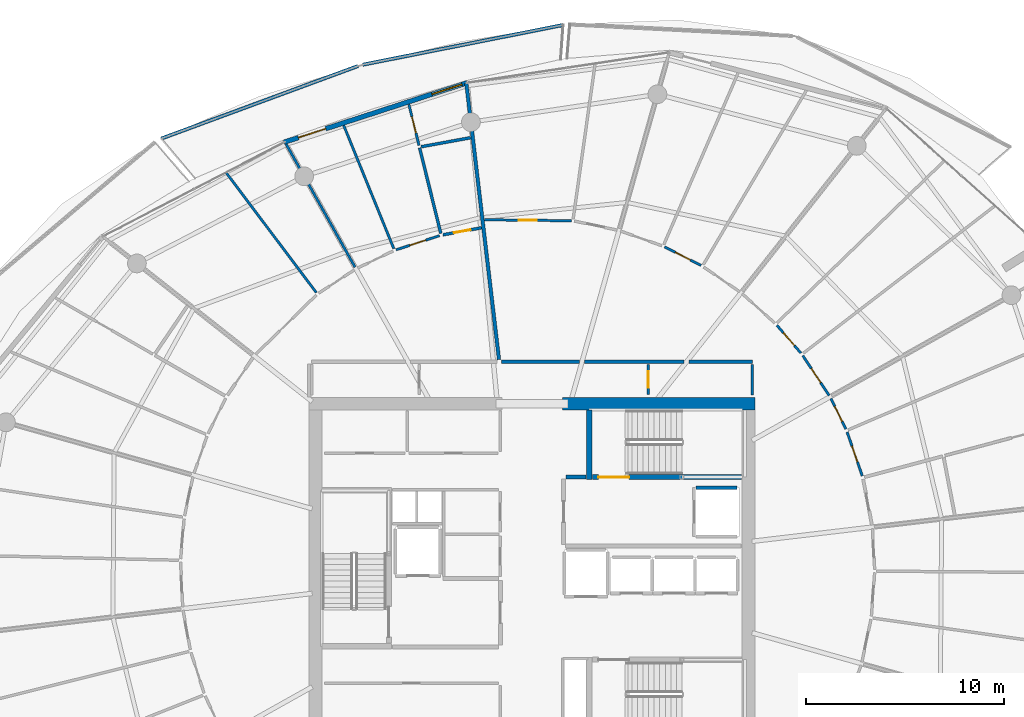
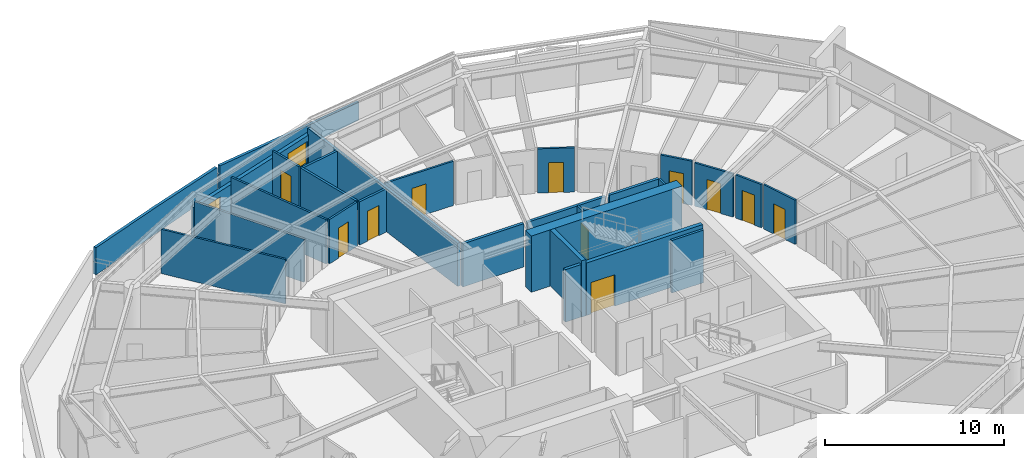
# One storey, part 23 of 31: 28 walls, 12 doors, 1 window, 13 openings.
"""IFC4 building model written with IfcOpenShell, lengths in metres."""

from ifc_helpers import new_model, si_unit, direction, frame, frame_2d, origin, place, context, subcontext, project, spatial, polyline, rectangle, outline, extrude, material, layer, layer_set, type_object, element, fill, save


model = new_model("IFC4")

# Units and contexts
model_context = context("Model", 3, precision=1e-05, world=origin(), true_north=direction((0.0, 1.0)))
body_context = subcontext(model_context, "Body", "Model", "MODEL_VIEW")
ifc_project = project(units=[si_unit("LENGTHUNIT", "METRE"), si_unit("AREAUNIT", "SQUARE_METRE"), si_unit("VOLUMEUNIT", "CUBIC_METRE"), si_unit("PLANEANGLEUNIT", "RADIAN"), si_unit("MASSUNIT", "GRAM", prefix="KILO")], contexts=[model_context])

# Site, building, storey
site_placement = place(None, origin())
site = spatial("IfcSite", under=ifc_project, at=site_placement, CompositionType="ELEMENT")
building_placement = place(site_placement, origin())
building = spatial("IfcBuilding", under=site, at=building_placement, Name="Kazma Halo Residences", CompositionType="ELEMENT")
storey_placement = place(building_placement, frame((0.0, 0.0, 271.35009765625)))
storey = spatial("IfcBuildingStorey", under=building, at=storey_placement, Name="L68", CompositionType="ELEMENT", Elevation=271.35009765625)

# Walls
ifc_material_1 = material(Name="White Concrete C50/60 Balustrade", Category="concrete")
ifc_layer_1 = layer(ifc_material_1, 0.179931640625)
ifc_layer_set_1 = layer_set([ifc_layer_1], Name="White Concrete C50/60 Balustrade")
wall_type_1 = type_object("IfcWallType", Name="WL-BAL-WAVE-180", PredefinedType="PARAPET", material=ifc_layer_set_1)
wall_1_placement = place(storey_placement, frame((49.994384765625, 69.486083984375, 0.0), z_axis=(0.0, 0.0, 1.0), x_axis=(-0.980919619001, -0.194413736807, 0.0)))
element("IfcWall", 1, at=wall_1_placement, inside=storey, type_object=wall_type_1, Name="L68 white wave balustrade wall NNW.1", PredefinedType="PARAPET", context=body_context, shape_type="SweptSolid", body=[
    extrude(outline(polyline([(0.0, 0.0), (10.34375, 0.0), (10.34375, 1.6318359375), (5.171875, 1.41796875), (0.0, 1.23291015625), (0.0, 0.0)])), frame((0.0, 0.08984375, 0.0), z_axis=(0.0, -1.0, 0.0), x_axis=(1.0, 0.0, 0.0)), (0.0, 0.0, 1.0), 0.179931640625),
])
wall_2_placement = place(storey_placement, frame((39.61767578125, 67.410400390625, 0.0), z_axis=(0.0, 0.0, 1.0), x_axis=(-0.938191788678, -0.346115829828, 0.0)))
element("IfcWall", 2, at=wall_2_placement, inside=storey, type_object=wall_type_1, Name="L68 white wave balustrade wall NNW.2", PredefinedType="PARAPET", context=body_context, shape_type="SweptSolid", body=[
    extrude(outline(polyline([(0.0, 0.0), (10.61083984375, 0.0), (10.61083984375, 1.85986328125), (5.305419921875, 1.7978515625), (0.0, 1.6318359375), (0.0, 0.0)])), frame((0.0, 0.08984375, 0.0), z_axis=(0.0, -1.0, 0.0), x_axis=(1.0, 0.0, 0.0)), (0.0, 0.0, 1.0), 0.179931640625),
])
ifc_material_2 = material(Name="Concrete C60/75", Category="concrete")
ifc_layer_2 = layer(ifc_material_2, 0.64990234375)
ifc_layer_set_2 = layer_set([ifc_layer_2], Name="Concrete C60/75")
wall_type_2 = type_object("IfcWallType", Name="WL-CORE-650", PredefinedType="SHEAR", material=ifc_layer_set_2)
wall_3_placement = place(storey_placement, frame((49.949951171875, 50.324951171875, 0.0), z_axis=(0.0, 0.0, 1.0), x_axis=(1.0, 0.0, 0.0)))
element("IfcWall", 3, at=wall_3_placement, inside=storey, type_object=wall_type_2, Name="L68 central core shear wall NE", PredefinedType="SHEAR", context=body_context, shape_type="SweptSolid", body=[
    extrude(rectangle(XDim=9.75, YDim=0.64990234375, at=frame_2d((4.875, 0.0))), origin(), (0.0, 0.0, 1.0), 3.849853515625),
])
ifc_layer_3 = layer(ifc_material_2, 0.280029296875)
ifc_layer_set_3 = layer_set([ifc_layer_3], Name="Concrete C60/75")
wall_type_3 = type_object("IfcWallType", Name="WL-CORE-ST-280", PredefinedType="SHEAR", material=ifc_layer_set_3)
wall_4_placement = place(storey_placement, frame((51.31005859375, 46.5, 0.0), z_axis=(0.0, 0.0, 1.0), x_axis=(0.0, 1.0, 0.0)))
element("IfcWall", 4, at=wall_4_placement, inside=storey, type_object=wall_type_3, Name="L68 stairwell bearing wall ST02-W", PredefinedType="SHEAR", context=body_context, shape_type="SweptSolid", body=[
    extrude(rectangle(XDim=3.5, YDim=0.280029296875, at=frame_2d((1.75, 0.0))), origin(), (0.0, 0.0, 1.0), 3.849853515625),
])
ifc_material_3 = material(Name="Acoustic Twin-Stud Gypsum")
ifc_layer_4 = layer(ifc_material_3, 0.179931640625)
ifc_layer_set_4 = layer_set([ifc_layer_4], Name="Acoustic Twin-Stud Gypsum")
wall_type_4 = type_object("IfcWallType", Name="WL-DEM-180", PredefinedType="PARTITIONING", material=ifc_layer_set_4)
wall_5_placement = place(storey_placement, frame((46.750244140625, 52.55908203125, 0.0), z_axis=(0.0, 0.0, 1.0), x_axis=(-0.117540318076, 0.993068111273, 0.0)))
element("IfcWall", 5, at=wall_5_placement, inside=storey, type_object=wall_type_4, Name="L68 apartment demising radial wall 03", PredefinedType="PARTITIONING", context=body_context, shape_type="SweptSolid", body=[
    extrude(rectangle(XDim=14.061767578125, YDim=0.179931640625, at=frame_2d((7.03076171875, 0.0))), origin(), (0.0, 0.0, 1.0), 2.956787109375),
])
wall_6_placement = place(storey_placement, frame((59.580078125, 52.449951171875, 0.0), z_axis=(0.0, 0.0, 1.0), x_axis=(-1.0, 0.0, 0.0)))
element("IfcWall", 6, at=wall_6_placement, inside=storey, type_object=wall_type_4, Name="L68 Apartment 2 inner wall 0", PredefinedType="PARTITIONING", context=body_context, shape_type="SweptSolid", body=[
    extrude(rectangle(XDim=3.221923828125, YDim=0.179931640625, at=frame_2d((1.61083984375, 0.0))), origin(), (0.0, 0.0, 1.0), 2.956787109375),
])
wall_7_placement = place(storey_placement, frame((56.1181640625, 52.449951171875, 0.0), z_axis=(0.0, 0.0, 1.0), x_axis=(-1.0, 0.0, 0.0)))
element("IfcWall", 7, at=wall_7_placement, inside=storey, type_object=wall_type_4, Name="L68 Apartment 2 inner wall 1", PredefinedType="PARTITIONING", context=body_context, shape_type="SweptSolid", body=[
    extrude(rectangle(XDim=5.051025390625, YDim=0.179931640625, at=frame_2d((2.525390625, 0.0))), origin(), (0.0, 0.0, 1.0), 2.956787109375),
])
wall_8_placement = place(storey_placement, frame((50.8271484375, 52.449951171875, 0.0), z_axis=(0.0, 0.0, 1.0), x_axis=(-1.0, 0.0, 0.0)))
element("IfcWall", 8, at=wall_8_placement, inside=storey, type_object=wall_type_4, Name="L68 Apartment 2 inner wall 2", PredefinedType="PARTITIONING", context=body_context, shape_type="SweptSolid", body=[
    extrude(rectangle(XDim=3.94384765625, YDim=0.179931640625, at=frame_2d((1.971923828125, 0.0))), origin(), (0.0, 0.0, 1.0), 2.956787109375),
])

# Wall, openings, door, window
ifc_material_4 = material(Name="Insulated Pale-Metal Composite Wall")
ifc_layer_5 = layer(ifc_material_4, 0.239990234375)
ifc_layer_set_5 = layer_set([ifc_layer_5], Name="Insulated Pale-Metal Composite Wall")
wall_type_5 = type_object("IfcWallType", Name="WL-EXT-HOST-240", PredefinedType="SOLIDWALL", material=ifc_layer_set_5)
wall_9_placement = place(storey_placement, frame((45.14208984375, 66.563720703125, 0.0), z_axis=(0.0, 0.0, 1.0), x_axis=(-0.951055974609, -0.309018661507, 0.0)))
wall_9 = element("IfcWall", 9, at=wall_9_placement, inside=storey, type_object=wall_type_5, Name="L68 exterior terrace-access wall B04", PredefinedType="SOLIDWALL", context=body_context, shape_type="SweptSolid", body=[
    extrude(rectangle(XDim=9.745361328125, YDim=0.239990234375, at=frame_2d((4.87255859375, 0.0))), origin(), (0.0, 0.0, 1.0), 2.539794921875),
])
opening_1_placement = place(wall_9_placement, frame((7.525390625, 0.0, 0.0)))
opening_1 = element("IfcOpeningElement", 10, at=opening_1_placement, cuts=wall_9, Name="Opening DTR-1600", PredefinedType="OPENING", context=body_context, shape_type="SweptSolid", body=[
    extrude(rectangle(XDim=1.449951171875, YDim=2.14990234375, at=frame_2d((0.72509765625, 1.074951171875))), frame((0.0, 0.1298828125, 0.0), z_axis=(0.0, -1.0, 0.0), x_axis=(1.0, 0.0, 0.0)), (0.0, 0.0, 1.0), 0.260009765625),
])
opening_2_placement = place(wall_9_placement, frame((0.280029296875, 0.0, 0.64990234375)))
opening_2 = element("IfcOpeningElement", 11, at=opening_2_placement, cuts=wall_9, Name="Opening W-1800", PredefinedType="OPENING", context=body_context, shape_type="SweptSolid", body=[
    extrude(rectangle(XDim=1.60009765625, YDim=1.5, at=frame_2d((0.800048828125, 0.75))), frame((0.0, 0.1298828125, 0.0), z_axis=(0.0, -1.0, 0.0), x_axis=(1.0, 0.0, 0.0)), (0.0, 0.0, 1.0), 0.260009765625),
])
ifc_material_5 = material(Name="Aluminium AW-6063 T6 Double-Glazed Terrace Door", Category="aluminium")
door_type_1 = type_object("IfcDoorType", Name="DR-EXT-TERR-1600", OperationType="NOTDEFINED", PredefinedType="DOOR", material=ifc_material_5)
door_1_placement = place(opening_1_placement, origin())
door_1 = element("IfcDoor", 12, at=door_1_placement, inside=storey, type_object=door_type_1, Name="L68 B04 balcony terrace door", OperationType="DOUBLE_DOOR_SLIDING", OverallHeight=2.14990234375, OverallWidth=1.449951171875, PredefinedType="DOOR", context=body_context, shape_type="SweptSolid", body=[
    extrude(rectangle(XDim=1.449951171875, YDim=2.14990234375, at=frame_2d((0.72509765625, 1.074951171875))), frame((0.0, 0.02490234375, 0.0), z_axis=(0.0, -1.0, 0.0), x_axis=(1.0, 0.0, 0.0)), (0.0, 0.0, 1.0), 0.050048828125),
])
fill(opening_1, door_1)
ifc_material_6 = material(Name="Clear Triple-Silver Low-E Glass in Aluminium AW-6063 T6 Frame", Category="aluminium")
window_type = type_object("IfcWindowType", Name="WIN-RES-1800", PartitioningType="DOUBLE_PANEL_VERTICAL", PredefinedType="WINDOW", material=ifc_material_6)
window_placement = place(opening_2_placement, origin())
window = element("IfcWindow", 13, at=window_placement, inside=storey, type_object=window_type, Name="L68 B04 apartment window", OverallHeight=1.5, OverallWidth=1.60009765625, PartitioningType="SINGLE_PANEL", PredefinedType="WINDOW", context=body_context, shape_type="SweptSolid", body=[
    extrude(rectangle(XDim=1.60009765625, YDim=1.5, at=frame_2d((0.800048828125, 0.75))), frame((0.0, 0.030029296875, 0.0), z_axis=(0.0, -1.0, 0.0), x_axis=(1.0, 0.0, 0.0)), (0.0, 0.0, 1.0), 0.06005859375),
])
fill(opening_2, window)

# Walls
ifc_material_7 = material(Name="Fire-Rated Blockwork Masonry", Category="masonry")
ifc_layer_6 = layer(ifc_material_7, 0.199951171875)
ifc_layer_set_6 = layer_set([ifc_layer_6], Name="Fire-Rated Blockwork Masonry")
wall_type_6 = type_object("IfcWallType", Name="WL-FLB-200", PredefinedType="PARTITIONING", material=ifc_layer_set_6)
wall_10_placement = place(storey_placement, frame((56.719970703125, 46.080078125, 0.0), z_axis=(0.0, 0.0, 1.0), x_axis=(1.0, 0.0, 0.0)))
element("IfcWall", 14, at=wall_10_placement, inside=storey, type_object=wall_type_6, Name="L68 lift shaft FL-02 side wall N", PredefinedType="PARTITIONING", context=body_context, shape_type="SweptSolid", body=[
    extrude(rectangle(XDim=2.06005859375, YDim=0.159912109375, at=frame_2d((1.030029296875, 0.0))), origin(), (0.0, 0.0, 1.0), 3.58984375),
])
wall_11_placement = place(storey_placement, frame((50.139892578125, 46.6201171875, 0.0), z_axis=(0.0, 0.0, 1.0), x_axis=(1.0, 0.0, 0.0)))
element("IfcWall", 15, at=wall_11_placement, inside=storey, type_object=wall_type_6, Name="L68 east firefighting lobby north closure wall", PredefinedType="PARTITIONING", context=body_context, shape_type="SweptSolid", body=[
    extrude(rectangle(XDim=1.02001953125, YDim=0.199951171875, at=frame_2d((0.510009765625, 0.0))), origin(), (0.0, 0.0, 1.0), 3.58984375),
])
ifc_material_8 = material(Name="Gypsum Plasterboard Partition")
ifc_layer_7 = layer(ifc_material_8, 0.125)
ifc_layer_set_7 = layer_set([ifc_layer_7], Name="Gypsum Plasterboard Partition")
wall_type_7 = type_object("IfcWallType", Name="WL-PART-125", PredefinedType="PARTITIONING", material=ifc_layer_set_7)
wall_12_placement = place(storey_placement, frame((59.56005859375, 50.77001953125, 0.0), z_axis=(0.0, 0.0, 1.0), x_axis=(0.0, 1.0, 0.0)))
element("IfcWall", 16, at=wall_12_placement, inside=storey, type_object=wall_type_7, Name="L68 east cupboard end wall", PredefinedType="PARTITIONING", context=body_context, shape_type="SweptSolid", body=[
    extrude(rectangle(XDim=1.5400390625, YDim=0.125, at=frame_2d((0.77001953125, 0.0))), origin(), (0.0, 0.0, 1.0), 3.02978515625),
])

# Wall, opening, door
wall_13_placement = place(storey_placement, frame((54.2900390625, 50.7900390625, 0.0), z_axis=(0.0, 0.0, 1.0), x_axis=(0.0, 1.0, 0.0)))
wall_13 = element("IfcWall", 17, at=wall_13_placement, inside=storey, type_object=wall_type_7, Name="L68 floor metering cupboard door wall", PredefinedType="PARTITIONING", context=body_context, shape_type="SweptSolid", body=[
    extrude(rectangle(XDim=1.52001953125, YDim=0.125, at=frame_2d((0.760009765625, 0.0))), origin(), (0.0, 0.0, 1.0), 3.02978515625),
])
opening_3_placement = place(wall_13_placement, frame((0.3349609375, 0.0, 0.0)))
opening_3 = element("IfcOpeningElement", 18, at=opening_3_placement, cuts=wall_13, Name="Opening DS-850", PredefinedType="OPENING", context=body_context, shape_type="SweptSolid", body=[
    extrude(rectangle(XDim=0.85009765625, YDim=2.06005859375, at=frame_2d((0.425048828125, 1.030029296875))), frame((0.0, 0.072509765625, 0.0), z_axis=(0.0, -1.0, 0.0), x_axis=(1.0, 0.0, 0.0)), (0.0, 0.0, 1.0), 0.14501953125),
])
ifc_material_9 = material(Name="Painted Steel Access Leaf", Category="steel")
door_type_2 = type_object("IfcDoorType", Name="DR-SVC-850", OperationType="NOTDEFINED", PredefinedType="DOOR", material=ifc_material_9)
door_2_placement = place(opening_3_placement, origin())
door_2 = element("IfcDoor", 19, at=door_2_placement, inside=storey, type_object=door_type_2, Name="L68 floor cupboard door", OperationType="SINGLE_SWING_RIGHT", OverallHeight=2.06005859375, OverallWidth=0.85009765625, PredefinedType="DOOR", context=body_context, shape_type="SweptSolid", body=[
    extrude(rectangle(XDim=0.85009765625, YDim=2.06005859375, at=frame_2d((0.425048828125, 1.030029296875))), frame((0.0, 0.02490234375, 0.0), z_axis=(0.0, -1.0, 0.0), x_axis=(1.0, 0.0, 0.0)), (0.0, 0.0, 1.0), 0.050048828125),
])
fill(opening_3, door_2)

wall_14_placement = place(storey_placement, frame((42.70263671875, 63.39794921875, 0.0), z_axis=(0.0, 0.0, 1.0), x_axis=(-0.240385432392, 0.970677517971, 0.0)))
wall_14 = element("IfcWall", 20, at=wall_14_placement, inside=storey, type_object=wall_type_7, Name="L68 Apartment 1 Household Store Room partition wall", PredefinedType="PARTITIONING", context=body_context, shape_type="SweptSolid", body=[
    extrude(rectangle(XDim=2.137939453125, YDim=0.125, at=frame_2d((1.06884765625, 0.0))), origin(), (0.0, 0.0, 1.0), 3.02978515625),
])
opening_4_placement = place(wall_14_placement, frame((0.643798828125, 0.0, 0.0)))
opening_4 = element("IfcOpeningElement", 21, at=opening_4_placement, cuts=wall_14, Name="Opening DB-900", PredefinedType="OPENING", context=body_context, shape_type="SweptSolid", body=[
    extrude(rectangle(XDim=0.85009765625, YDim=2.06005859375, at=frame_2d((0.425048828125, 1.030029296875))), frame((0.0, 0.072509765625, 0.0), z_axis=(0.0, -1.0, 0.0), x_axis=(1.0, 0.0, 0.0)), (0.0, 0.0, 1.0), 0.14501953125),
])
ifc_material_10 = material(Name="Moisture-Sealed Timber Leaf", Category="wood")
door_type_3 = type_object("IfcDoorType", Name="DR-BTH-900", OperationType="NOTDEFINED", PredefinedType="DOOR", material=ifc_material_10)
door_3_placement = place(opening_4_placement, origin())
door_3 = element("IfcDoor", 22, at=door_3_placement, inside=storey, type_object=door_type_3, Name="L68 Apartment 1 Household Store Room door", OperationType="SINGLE_SWING_LEFT", OverallHeight=2.06005859375, OverallWidth=0.85009765625, PredefinedType="DOOR", context=body_context, shape_type="SweptSolid", body=[
    extrude(rectangle(XDim=0.85009765625, YDim=2.06005859375, at=frame_2d((0.425048828125, 1.030029296875))), frame((0.0, 0.02490234375, 0.0), z_axis=(0.0, -1.0, 0.0), x_axis=(1.0, 0.0, 0.0)), (0.0, 0.0, 1.0), 0.050048828125),
])
fill(opening_4, door_3)

# Wall
wall_15_placement = place(storey_placement, frame((41.42919921875, 58.169921875, 0.0), z_axis=(0.0, 0.0, 1.0), x_axis=(-0.376458801215, 0.926433360252, 0.0)))
element("IfcWall", 23, at=wall_15_placement, inside=storey, type_object=wall_type_7, Name="L68 Apartment 1 suite divider 3", PredefinedType="PARTITIONING", context=body_context, shape_type="SweptSolid", body=[
    extrude(rectangle(XDim=6.728271484375, YDim=0.125, at=frame_2d((3.3642578125, 0.0))), origin(), (0.0, 0.0, 1.0), 3.02978515625),
])

# Wall, opening, door
wall_16_placement = place(storey_placement, frame((43.74169921875, 58.827392578125, 0.0), z_axis=(0.0, 0.0, 1.0), x_axis=(-0.950997650668, -0.309198105466, 0.0)))
wall_16 = element("IfcWall", 24, at=wall_16_placement, inside=storey, type_object=wall_type_7, Name="L68 Apartment 1 Gourmet Kitchen hall wall", PredefinedType="PARTITIONING", context=body_context, shape_type="SweptSolid", body=[
    extrude(rectangle(XDim=2.31591796875, YDim=0.125, at=frame_2d((1.157958984375, 0.0))), origin(), (0.0, 0.0, 1.0), 3.02978515625),
])
opening_5_placement = place(wall_16_placement, frame((0.73291015625, 0.0, 0.0)))
opening_5 = element("IfcOpeningElement", 25, at=opening_5_placement, cuts=wall_16, Name="Opening DB-900", PredefinedType="OPENING", context=body_context, shape_type="SweptSolid", body=[
    extrude(rectangle(XDim=0.85009765625, YDim=2.06005859375, at=frame_2d((0.425048828125, 1.030029296875))), frame((0.0, 0.072509765625, 0.0), z_axis=(0.0, -1.0, 0.0), x_axis=(1.0, 0.0, 0.0)), (0.0, 0.0, 1.0), 0.14501953125),
])
door_4_placement = place(opening_5_placement, origin())
door_4 = element("IfcDoor", 26, at=door_4_placement, inside=storey, type_object=door_type_3, Name="L68 Apartment 1 Gourmet Kitchen door", OperationType="SINGLE_SWING_RIGHT", OverallHeight=2.06005859375, OverallWidth=0.85009765625, PredefinedType="DOOR", context=body_context, shape_type="SweptSolid", body=[
    extrude(rectangle(XDim=0.85009765625, YDim=2.06005859375, at=frame_2d((0.425048828125, 1.030029296875))), frame((0.0, 0.02490234375, 0.0), z_axis=(0.0, -1.0, 0.0), x_axis=(1.0, 0.0, 0.0)), (0.0, 0.0, 1.0), 0.050048828125),
])
fill(opening_5, door_4)

# Walls
wall_17_placement = place(storey_placement, frame((39.466796875, 57.2373046875, 0.0), z_axis=(0.0, 0.0, 1.0), x_axis=(-0.488642985948, 0.872483829239, 0.0)))
element("IfcWall", 27, at=wall_17_placement, inside=storey, type_object=wall_type_7, Name="L68 Apartment 1 radial partition 4", PredefinedType="PARTITIONING", context=body_context, shape_type="SweptSolid", body=[
    extrude(rectangle(XDim=7.130615234375, YDim=0.125, at=frame_2d((3.5654296875, 0.0))), origin(), (0.0, 0.0, 1.0), 2.956787109375),
])
wall_18_placement = place(storey_placement, frame((37.50927734375, 55.949462890625, 0.0), z_axis=(0.0, 0.0, 1.0), x_axis=(-0.60104674722, 0.799213868534, 0.0)))
element("IfcWall", 28, at=wall_18_placement, inside=storey, type_object=wall_type_7, Name="L68 Apartment 1 mid-bay wall 4", PredefinedType="PARTITIONING", context=body_context, shape_type="SweptSolid", body=[
    extrude(rectangle(XDim=7.57177734375, YDim=0.125, at=frame_2d((3.785888671875, 0.0))), origin(), (0.0, 0.0, 1.0), 3.02978515625),
])

# Wall, opening, door
wall_19_placement = place(storey_placement, frame((65.123779296875, 46.676513671875, 0.0), z_axis=(0.0, 0.0, 1.0), x_axis=(-0.326410460833, 0.945228126464, 0.0)))
wall_19 = element("IfcWall", 29, at=wall_19_placement, inside=storey, type_object=wall_type_7, Name="L68 Apartment 2 Primary Formal Dining Room hall wall", PredefinedType="PARTITIONING", context=body_context, shape_type="SweptSolid", body=[
    extrude(rectangle(XDim=2.347900390625, YDim=0.125, at=frame_2d((1.173828125, 0.0))), origin(), (0.0, 0.0, 1.0), 3.02978515625),
])
opening_6_placement = place(wall_19_placement, frame((0.748779296875, 0.0, 0.0)))
opening_6 = element("IfcOpeningElement", 30, at=opening_6_placement, cuts=wall_19, Name="Opening DB-900", PredefinedType="OPENING", context=body_context, shape_type="SweptSolid", body=[
    extrude(rectangle(XDim=0.85009765625, YDim=2.06005859375, at=frame_2d((0.425048828125, 1.030029296875))), frame((0.0, 0.072509765625, 0.0), z_axis=(0.0, -1.0, 0.0), x_axis=(1.0, 0.0, 0.0)), (0.0, 0.0, 1.0), 0.14501953125),
])
door_5_placement = place(opening_6_placement, origin())
door_5 = element("IfcDoor", 31, at=door_5_placement, inside=storey, type_object=door_type_3, Name="L68 Apartment 2 Primary Formal Dining Room door", OperationType="SINGLE_SWING_RIGHT", OverallHeight=2.06005859375, OverallWidth=0.85009765625, PredefinedType="DOOR", context=body_context, shape_type="SweptSolid", body=[
    extrude(rectangle(XDim=0.85009765625, YDim=2.06005859375, at=frame_2d((0.425048828125, 1.030029296875))), frame((0.0, 0.02490234375, 0.0), z_axis=(0.0, -1.0, 0.0), x_axis=(1.0, 0.0, 0.0)), (0.0, 0.0, 1.0), 0.050048828125),
])
fill(opening_6, door_5)

wall_20_placement = place(storey_placement, frame((64.2958984375, 49.043212890625, 0.0), z_axis=(0.0, 0.0, 1.0), x_axis=(-0.441184733744, 0.897416308472, 0.0)))
wall_20 = element("IfcWall", 32, at=wall_20_placement, inside=storey, type_object=wall_type_7, Name="L68 Apartment 2 Secondary Master Bedroom hall wall", PredefinedType="PARTITIONING", context=body_context, shape_type="SweptSolid", body=[
    extrude(rectangle(XDim=1.719970703125, YDim=0.125, at=frame_2d((0.85986328125, 0.0))), origin(), (0.0, 0.0, 1.0), 2.956787109375),
])
opening_7_placement = place(wall_20_placement, frame((0.43505859375, 0.0, 0.0)))
opening_7 = element("IfcOpeningElement", 33, at=opening_7_placement, cuts=wall_20, Name="Opening DB-900", PredefinedType="OPENING", context=body_context, shape_type="SweptSolid", body=[
    extrude(rectangle(XDim=0.85009765625, YDim=2.06005859375, at=frame_2d((0.425048828125, 1.030029296875))), frame((0.0, 0.072509765625, 0.0), z_axis=(0.0, -1.0, 0.0), x_axis=(1.0, 0.0, 0.0)), (0.0, 0.0, 1.0), 0.14501953125),
])
door_6_placement = place(opening_7_placement, origin())
door_6 = element("IfcDoor", 34, at=door_6_placement, inside=storey, type_object=door_type_3, Name="L68 Apartment 2 Secondary Master Bedroom door", OperationType="SINGLE_SWING_LEFT", OverallHeight=2.06005859375, OverallWidth=0.85009765625, PredefinedType="DOOR", context=body_context, shape_type="SweptSolid", body=[
    extrude(rectangle(XDim=0.85009765625, YDim=2.06005859375, at=frame_2d((0.425048828125, 1.030029296875))), frame((0.0, 0.02490234375, 0.0), z_axis=(0.0, -1.0, 0.0), x_axis=(1.0, 0.0, 0.0)), (0.0, 0.0, 1.0), 0.050048828125),
])
fill(opening_7, door_6)

wall_21_placement = place(storey_placement, frame((63.44873046875, 50.7431640625, 0.0), z_axis=(0.0, 0.0, 1.0), x_axis=(-0.550615705096, 0.834758854581, 0.0)))
wall_21 = element("IfcWall", 35, at=wall_21_placement, inside=storey, type_object=wall_type_7, Name="L68 Apartment 2 East Master Bedroom hall wall", PredefinedType="PARTITIONING", context=body_context, shape_type="SweptSolid", body=[
    extrude(rectangle(XDim=2.417724609375, YDim=0.125, at=frame_2d((1.208984375, 0.0))), origin(), (0.0, 0.0, 1.0), 2.956787109375),
])
opening_8_placement = place(wall_21_placement, frame((0.783935546875, 0.0, 0.0)))
opening_8 = element("IfcOpeningElement", 36, at=opening_8_placement, cuts=wall_21, Name="Opening DB-900", PredefinedType="OPENING", context=body_context, shape_type="SweptSolid", body=[
    extrude(rectangle(XDim=0.85009765625, YDim=2.06005859375, at=frame_2d((0.425048828125, 1.030029296875))), frame((0.0, 0.072509765625, 0.0), z_axis=(0.0, -1.0, 0.0), x_axis=(1.0, 0.0, 0.0)), (0.0, 0.0, 1.0), 0.14501953125),
])
door_7_placement = place(opening_8_placement, origin())
door_7 = element("IfcDoor", 37, at=door_7_placement, inside=storey, type_object=door_type_3, Name="L68 Apartment 2 East Master Bedroom door", OperationType="SINGLE_SWING_RIGHT", OverallHeight=2.06005859375, OverallWidth=0.85009765625, PredefinedType="DOOR", context=body_context, shape_type="SweptSolid", body=[
    extrude(rectangle(XDim=0.85009765625, YDim=2.06005859375, at=frame_2d((0.425048828125, 1.030029296875))), frame((0.0, 0.02490234375, 0.0), z_axis=(0.0, -1.0, 0.0), x_axis=(1.0, 0.0, 0.0)), (0.0, 0.0, 1.0), 0.050048828125),
])
fill(opening_8, door_7)

wall_22_placement = place(storey_placement, frame((62.02099609375, 52.888671875, 0.0), z_axis=(0.0, 0.0, 1.0), x_axis=(-0.653811111284, 0.756657802947, 0.0)))
wall_22 = element("IfcWall", 38, at=wall_22_placement, inside=storey, type_object=wall_type_7, Name="L68 Apartment 2 West Study hall wall", PredefinedType="PARTITIONING", context=body_context, shape_type="SweptSolid", body=[
    extrude(rectangle(XDim=1.861083984375, YDim=0.125, at=frame_2d((0.9306640625, 0.0))), origin(), (0.0, 0.0, 1.0), 3.02978515625),
])
opening_9_placement = place(wall_22_placement, frame((0.505615234375, 0.0, 0.0)))
opening_9 = element("IfcOpeningElement", 39, at=opening_9_placement, cuts=wall_22, Name="Opening DB-900", PredefinedType="OPENING", context=body_context, shape_type="SweptSolid", body=[
    extrude(rectangle(XDim=0.85009765625, YDim=2.06005859375, at=frame_2d((0.425048828125, 1.030029296875))), frame((0.0, 0.072509765625, 0.0), z_axis=(0.0, -1.0, 0.0), x_axis=(1.0, 0.0, 0.0)), (0.0, 0.0, 1.0), 0.14501953125),
])
door_8_placement = place(opening_9_placement, origin())
door_8 = element("IfcDoor", 40, at=door_8_placement, inside=storey, type_object=door_type_3, Name="L68 Apartment 2 West Study door", OperationType="SINGLE_SWING_LEFT", OverallHeight=2.06005859375, OverallWidth=0.85009765625, PredefinedType="DOOR", context=body_context, shape_type="SweptSolid", body=[
    extrude(rectangle(XDim=0.85009765625, YDim=2.06005859375, at=frame_2d((0.425048828125, 1.030029296875))), frame((0.0, 0.02490234375, 0.0), z_axis=(0.0, -1.0, 0.0), x_axis=(1.0, 0.0, 0.0)), (0.0, 0.0, 1.0), 0.050048828125),
])
fill(opening_9, door_8)

wall_23_placement = place(storey_placement, frame((56.9677734375, 57.320556640625, 0.0), z_axis=(0.0, 0.0, 1.0), x_axis=(-0.891004388837, 0.453994690579, 0.0)))
wall_23 = element("IfcWall", 41, at=wall_23_placement, inside=storey, type_object=wall_type_7, Name="L68 Apartment 2 Inner Study hall wall", PredefinedType="PARTITIONING", context=body_context, shape_type="SweptSolid", body=[
    extrude(rectangle(XDim=2.06982421875, YDim=0.125, at=frame_2d((1.034912109375, 0.0))), origin(), (0.0, 0.0, 1.0), 3.02978515625),
])
opening_10_placement = place(wall_23_placement, frame((0.60986328125, 0.0, 0.0)))
opening_10 = element("IfcOpeningElement", 42, at=opening_10_placement, cuts=wall_23, Name="Opening DB-900", PredefinedType="OPENING", context=body_context, shape_type="SweptSolid", body=[
    extrude(rectangle(XDim=0.85009765625, YDim=2.06005859375, at=frame_2d((0.425048828125, 1.030029296875))), frame((0.0, 0.072509765625, 0.0), z_axis=(0.0, -1.0, 0.0), x_axis=(1.0, 0.0, 0.0)), (0.0, 0.0, 1.0), 0.14501953125),
])
door_9_placement = place(opening_10_placement, origin())
door_9 = element("IfcDoor", 43, at=door_9_placement, inside=storey, type_object=door_type_3, Name="L68 Apartment 2 Inner Study door", OperationType="SINGLE_SWING_RIGHT", OverallHeight=2.06005859375, OverallWidth=0.85009765625, PredefinedType="DOOR", context=body_context, shape_type="SweptSolid", body=[
    extrude(rectangle(XDim=0.85009765625, YDim=2.06005859375, at=frame_2d((0.425048828125, 1.030029296875))), frame((0.0, 0.02490234375, 0.0), z_axis=(0.0, -1.0, 0.0), x_axis=(1.0, 0.0, 0.0)), (0.0, 0.0, 1.0), 0.050048828125),
])
fill(opening_10, door_9)

wall_24_placement = place(storey_placement, frame((50.408203125, 59.582763671875, 0.0), z_axis=(0.0, 0.0, 1.0), x_axis=(-0.999935174521, 0.01138625289, 0.0)))
wall_24 = element("IfcWall", 44, at=wall_24_placement, inside=storey, type_object=wall_type_7, Name="L68 Apartment 2 Garden Master Bedroom hall wall", PredefinedType="PARTITIONING", context=body_context, shape_type="SweptSolid", body=[
    extrude(rectangle(XDim=4.3955078125, YDim=0.125, at=frame_2d((2.19775390625, 0.0))), origin(), (0.0, 0.0, 1.0), 3.02978515625),
])
opening_11_placement = place(wall_24_placement, frame((1.747802734375, 0.0, 0.0)))
opening_11 = element("IfcOpeningElement", 45, at=opening_11_placement, cuts=wall_24, Name="Opening DI-950", PredefinedType="OPENING", context=body_context, shape_type="SweptSolid", body=[
    extrude(rectangle(XDim=0.89990234375, YDim=2.080078125, at=frame_2d((0.449951171875, 1.0400390625))), frame((0.0, 0.072509765625, 0.0), z_axis=(0.0, -1.0, 0.0), x_axis=(1.0, 0.0, 0.0)), (0.0, 0.0, 1.0), 0.14501953125),
])
ifc_material_11 = material(Name="Timber Veneer Flush Leaf", Category="wood")
door_type_4 = type_object("IfcDoorType", Name="DR-INT-950", OperationType="NOTDEFINED", PredefinedType="DOOR", material=ifc_material_11)
door_10_placement = place(opening_11_placement, origin())
door_10 = element("IfcDoor", 46, at=door_10_placement, inside=storey, type_object=door_type_4, Name="L68 Apartment 2 Garden Master Bedroom door", OperationType="SINGLE_SWING_RIGHT", OverallHeight=2.080078125, OverallWidth=0.89990234375, PredefinedType="DOOR", context=body_context, shape_type="SweptSolid", body=[
    extrude(rectangle(XDim=0.89990234375, YDim=2.080078125, at=frame_2d((0.449951171875, 1.0400390625))), frame((0.0, 0.02490234375, 0.0), z_axis=(0.0, -1.0, 0.0), x_axis=(1.0, 0.0, 0.0)), (0.0, 0.0, 1.0), 0.050048828125),
])
fill(opening_11, door_10)

ifc_material_12 = material(Name="Concrete C50/60", Category="concrete")
ifc_layer_8 = layer(ifc_material_12, 0.25)
ifc_layer_set_8 = layer_set([ifc_layer_8], Name="Concrete C50/60")
wall_type_8 = type_object("IfcWallType", Name="WL-SHF-250", PredefinedType="SOLIDWALL", material=ifc_layer_set_8)
wall_25_placement = place(storey_placement, frame((51.47998046875, 46.6201171875, 0.0), z_axis=(0.0, 0.0, 1.0), x_axis=(1.0, 0.0, 0.0)))
wall_25 = element("IfcWall", 47, at=wall_25_placement, inside=storey, type_object=wall_type_8, Name="L68 exit stair ST-02 enclosure wall", PredefinedType="SOLIDWALL", context=body_context, shape_type="SweptSolid", body=[
    extrude(rectangle(XDim=7.5400390625, YDim=0.25, at=frame_2d((3.77001953125, 0.0))), origin(), (0.0, 0.0, 1.0), 3.58984375),
])
opening_12_placement = place(wall_25_placement, frame((0.300048828125, 0.0, 0.0)))
opening_12 = element("IfcOpeningElement", 48, at=opening_12_placement, cuts=wall_25, Name="Opening D-ST2", PredefinedType="OPENING", context=body_context, shape_type="SweptSolid", body=[
    extrude(rectangle(XDim=1.550048828125, YDim=2.14990234375, at=frame_2d((0.77490234375, 1.074951171875))), frame((0.0, 0.135009765625, 0.0), z_axis=(0.0, -1.0, 0.0), x_axis=(1.0, 0.0, 0.0)), (0.0, 0.0, 1.0), 0.27001953125),
])
ifc_material_13 = material(Name="Fire-Rated Double Steel Leaf", Category="steel")
door_type_5 = type_object("IfcDoorType", Name="DR-FD90-1550", OperationType="NOTDEFINED", PredefinedType="DOOR", material=ifc_material_13)
door_11_placement = place(opening_12_placement, origin())
door_11 = element("IfcDoor", 49, at=door_11_placement, inside=storey, type_object=door_type_5, Name="L68 exit stair ST-02 fire door", OperationType="DOUBLE_DOOR_SINGLE_SWING", OverallHeight=2.14990234375, OverallWidth=1.550048828125, PredefinedType="DOOR", context=body_context, shape_type="SweptSolid", body=[
    extrude(rectangle(XDim=1.550048828125, YDim=2.14990234375, at=frame_2d((0.77490234375, 1.074951171875))), frame((0.0, 0.02490234375, 0.0), z_axis=(0.0, -1.0, 0.0), x_axis=(1.0, 0.0, 0.0)), (0.0, 0.0, 1.0), 0.050048828125),
])
fill(opening_12, door_11)

ifc_material_14 = material(Name="Moisture-Resistant Gypsum")
ifc_layer_9 = layer(ifc_material_14, 0.14990234375)
ifc_layer_set_9 = layer_set([ifc_layer_9], Name="Moisture-Resistant Gypsum")
wall_type_9 = type_object("IfcWallType", Name="WL-WET-150", PredefinedType="PARTITIONING", material=ifc_layer_set_9)
wall_26_placement = place(storey_placement, frame((45.860595703125, 59.2255859375, 0.0), z_axis=(0.0, 0.0, 1.0), x_axis=(-0.983812554945, -0.179200604723, 0.0)))
wall_26 = element("IfcWall", 50, at=wall_26_placement, inside=storey, type_object=wall_type_9, Name="L68 Apartment 1 Guest Bathroom hall wall", PredefinedType="PARTITIONING", context=body_context, shape_type="SweptSolid", body=[
    extrude(rectangle(XDim=1.976806640625, YDim=0.14990234375, at=frame_2d((0.98828125, 0.0))), origin(), (0.0, 0.0, 1.0), 2.956787109375),
])
opening_13_placement = place(wall_26_placement, frame((0.5634765625, 0.0, 0.0)))
opening_13 = element("IfcOpeningElement", 51, at=opening_13_placement, cuts=wall_26, Name="Opening DB-900", PredefinedType="OPENING", context=body_context, shape_type="SweptSolid", body=[
    extrude(rectangle(XDim=0.85009765625, YDim=2.06005859375, at=frame_2d((0.425048828125, 1.030029296875))), frame((0.0, 0.0849609375, 0.0), z_axis=(0.0, -1.0, 0.0), x_axis=(1.0, 0.0, 0.0)), (0.0, 0.0, 1.0), 0.169921875),
])
door_12_placement = place(opening_13_placement, origin())
door_12 = element("IfcDoor", 52, at=door_12_placement, inside=storey, type_object=door_type_3, Name="L68 Apartment 1 Guest Bathroom door", OperationType="SINGLE_SWING_RIGHT", OverallHeight=2.06005859375, OverallWidth=0.85009765625, PredefinedType="DOOR", context=body_context, shape_type="SweptSolid", body=[
    extrude(rectangle(XDim=0.85009765625, YDim=2.06005859375, at=frame_2d((0.425048828125, 1.030029296875))), frame((0.0, 0.02490234375, 0.0), z_axis=(0.0, -1.0, 0.0), x_axis=(1.0, 0.0, 0.0)), (0.0, 0.0, 1.0), 0.050048828125),
])
fill(opening_13, door_12)

# Walls
wall_27_placement = place(storey_placement, frame((45.3212890625, 63.783935546875, 0.0), z_axis=(0.0, 0.0, 1.0), x_axis=(-0.983788616277, -0.179331978422, 0.0)))
element("IfcWall", 53, at=wall_27_placement, inside=storey, type_object=wall_type_9, Name="L68 Apartment 1 Guest Bathroom back wall", PredefinedType="PARTITIONING", context=body_context, shape_type="SweptSolid", body=[
    extrude(rectangle(XDim=2.5498046875, YDim=0.14990234375, at=frame_2d((1.27490234375, 0.0))), origin(), (0.0, 0.0, 1.0), 2.956787109375),
])
wall_28_placement = place(storey_placement, frame((43.8056640625, 58.942626953125, 0.0), z_axis=(0.0, 0.0, 1.0), x_axis=(-0.240319531841, 0.970693835674, 0.0)))
element("IfcWall", 54, at=wall_28_placement, inside=storey, type_object=wall_type_9, Name="L68 Apartment 1 Guest Bathroom side wall", PredefinedType="PARTITIONING", context=body_context, shape_type="SweptSolid", body=[
    extrude(rectangle(XDim=4.459716796875, YDim=0.14990234375, at=frame_2d((2.22998046875, 0.0))), origin(), (0.0, 0.0, 1.0), 3.02978515625),
])

save(model, "model.ifc")
